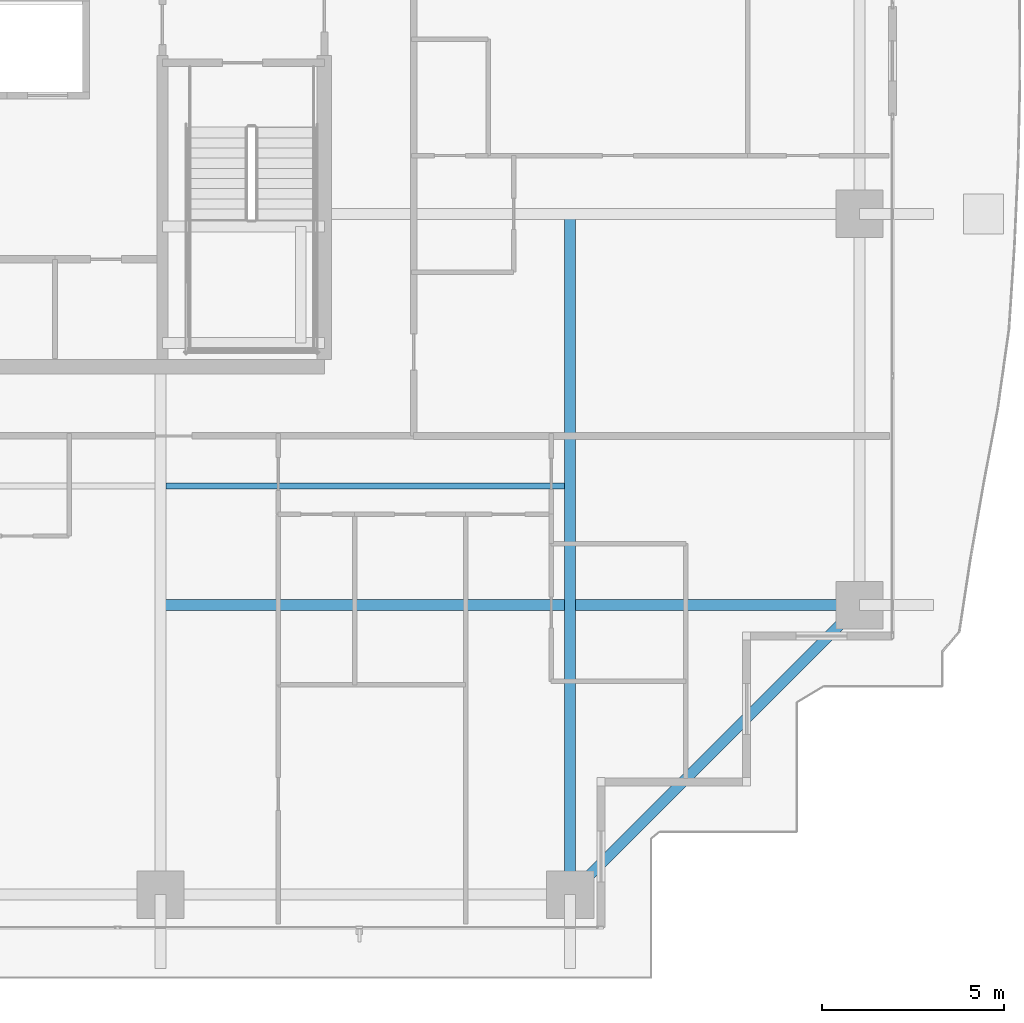
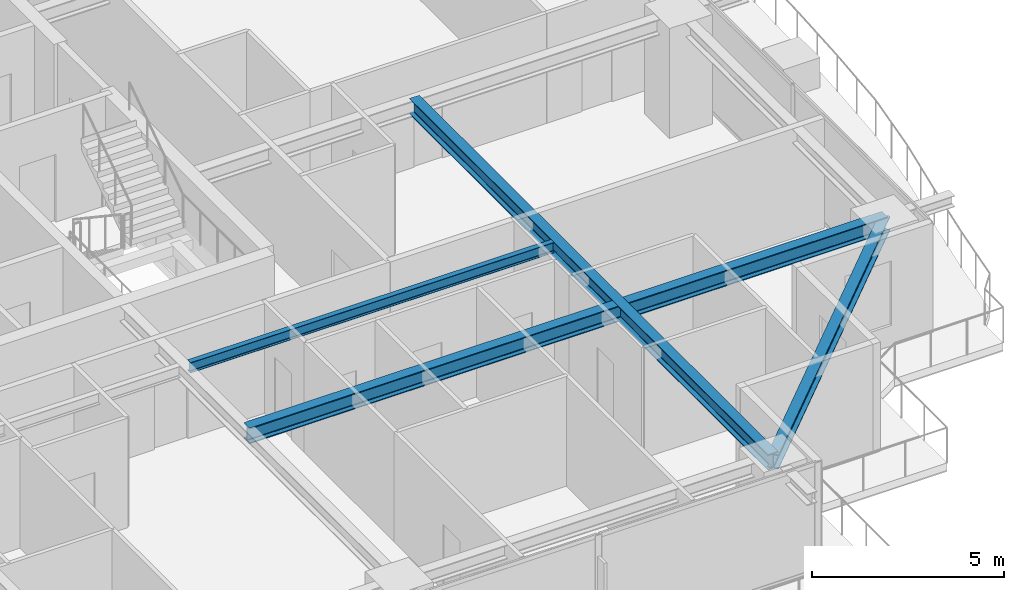
# One storey, part 11 of 34: 4 beams.
"""IFC4 building model written with IfcOpenShell, lengths in metres."""

from ifc_helpers import new_model, si_unit, direction, frame, origin, origin_2d, place, context, subcontext, project, spatial, i_section, extrude, source, transform, mapped, material, material_profile, profile_set, type_object, element, save


model = new_model("IFC4")

# Units and contexts
model_context = context("Model", 3, precision=1e-05, world=origin(), true_north=direction((0.0, 1.0)))
body_context = subcontext(model_context, "Body", "Model", "MODEL_VIEW")
ifc_project = project(units=[si_unit("LENGTHUNIT", "METRE"), si_unit("AREAUNIT", "SQUARE_METRE"), si_unit("VOLUMEUNIT", "CUBIC_METRE"), si_unit("PLANEANGLEUNIT", "RADIAN"), si_unit("MASSUNIT", "GRAM", prefix="KILO")], contexts=[model_context])

# Site, building, storey
site_placement = place(None, origin())
site = spatial("IfcSite", under=ifc_project, at=site_placement, CompositionType="ELEMENT")
building_placement = place(site_placement, origin())
building = spatial("IfcBuilding", under=site, at=building_placement, Name="Serunith Strait Residences", CompositionType="ELEMENT")
storey_placement = place(building_placement, frame((0.0, 0.0, 135.14990234375)))
storey = spatial("IfcBuildingStorey", under=building, at=storey_placement, Name="L33", CompositionType="ELEMENT", Elevation=135.14990234375)

# Beams
ifc_material = material(Name="Steel S355J2", Category="steel")
ifc_material_profile_1 = material_profile(ifc_material, i_section(OverallWidth=0.300048828125, OverallDepth=0.5, WebThickness=0.014404296875, FlangeThickness=0.028076171875, FilletRadius=0.027099609375, at=origin_2d()), Name="HEB 500")
ifc_profile_set_1 = profile_set([ifc_material_profile_1], Name="Steel S355J2")
beam_type_1 = type_object("IfcBeamType", Name="BM-HEB500", PredefinedType="BEAM", material=ifc_profile_set_1)
shared_shape_1 = source(origin(), body_context, "Body", "SweptSolid", [
    extrude(i_section(OverallWidth=0.300048828125, OverallDepth=0.5, WebThickness=0.014404296875, FlangeThickness=0.028076171875, FilletRadius=0.027099609375, at=origin_2d()), origin(), (0.0, 0.0, 1.0), 18.699951171875),
])
beam_1_placement = place(storey_placement, frame((48.14990234375, 21.0, 3.237060546875), z_axis=(0.0, -1.0, 0.0), x_axis=(1.0, 0.0, 0.0)))
element("IfcBeam", 1, at=beam_1_placement, inside=storey, type_object=beam_type_1, Name="L33 Orthogonal Corner Girder TC-S4", PredefinedType="BEAM", context=body_context, shape_type="MappedRepresentation", body=[
    mapped(shared_shape_1, transform((0.0, 0.0, 0.0), scale=1.0)),
])
shared_shape_2 = source(origin(), body_context, "Body", "SweptSolid", [
    extrude(i_section(OverallWidth=0.300048828125, OverallDepth=0.5, WebThickness=0.014404296875, FlangeThickness=0.028076171875, FilletRadius=0.027099609375, at=origin_2d()), origin(), (0.0, 0.0, 1.0), 19.2001953125),
])
beam_2_placement = place(storey_placement, frame((36.89990234375, 10.25, 3.237060546875), z_axis=(1.0, 0.0, 0.0), x_axis=(0.0, 1.0, 0.0)))
element("IfcBeam", 2, at=beam_2_placement, inside=storey, type_object=beam_type_1, Name="L33 Orthogonal Corner Girder TC-E1", PredefinedType="BEAM", context=body_context, shape_type="MappedRepresentation", body=[
    mapped(shared_shape_2, transform((0.0, 0.0, 0.0), scale=1.0)),
])
ifc_material_profile_2 = material_profile(ifc_material, i_section(OverallWidth=0.300048828125, OverallDepth=0.449951171875, WebThickness=0.013916015625, FlangeThickness=0.02587890625, FilletRadius=0.027099609375, at=origin_2d()), Name="HEB 450")
ifc_profile_set_2 = profile_set([ifc_material_profile_2], Name="Steel S355J2")
beam_type_2 = type_object("IfcBeamType", Name="BM-HEB450", PredefinedType="BEAM", material=ifc_profile_set_2)
shared_shape_3 = source(origin(), body_context, "Body", "SweptSolid", [
    extrude(i_section(OverallWidth=0.300048828125, OverallDepth=0.449951171875, WebThickness=0.013916015625, FlangeThickness=0.02587890625, FilletRadius=0.027099609375, at=origin_2d()), origin(), (0.0, 0.0, 1.0), 11.2431640625),
])
beam_3_placement = place(storey_placement, frame((48.14990234375, 2.300048828125, 3.232177734375), z_axis=(0.707117638455, 0.707095923751, 0.0), x_axis=(-0.707095923751, 0.707117638455, 0.0)))
element("IfcBeam", 3, at=beam_3_placement, inside=storey, type_object=beam_type_2, Name="L33 Perimeter Ring Beam 04", PredefinedType="BEAM", context=body_context, shape_type="MappedRepresentation", body=[
    mapped(shared_shape_3, transform((0.0, 0.0, 0.0), scale=1.0)),
])
ifc_material_profile_3 = material_profile(ifc_material, i_section(OverallWidth=0.159912109375, OverallDepth=0.330078125, WebThickness=0.007568359375, FlangeThickness=0.011474609375, FilletRadius=0.01806640625, at=origin_2d()), Name="IPE 330")
ifc_profile_set_3 = profile_set([ifc_material_profile_3], Name="Steel S355J2")
beam_type_3 = type_object("IfcBeamType", Name="BM-IPE330", PredefinedType="JOIST", material=ifc_profile_set_3)
shared_shape_4 = source(origin(), body_context, "Body", "SweptSolid", [
    extrude(i_section(OverallWidth=0.159912109375, OverallDepth=0.330078125, WebThickness=0.007568359375, FlangeThickness=0.011474609375, FilletRadius=0.01806640625, at=origin_2d()), origin(), (0.0, 0.0, 1.0), 10.949951171875),
])
beam_4_placement = place(storey_placement, frame((37.050048828125, 13.52490234375, 3.322021484375), z_axis=(1.0, 0.0, 0.0), x_axis=(0.0, 1.0, 0.0)))
element("IfcBeam", 4, at=beam_4_placement, inside=storey, type_object=beam_type_3, Name="L33 Composite Floor Joist 03", PredefinedType="JOIST", context=body_context, shape_type="MappedRepresentation", body=[
    mapped(shared_shape_4, transform((0.0, 0.0, 0.0), scale=1.0)),
])

save(model, "model.ifc")
